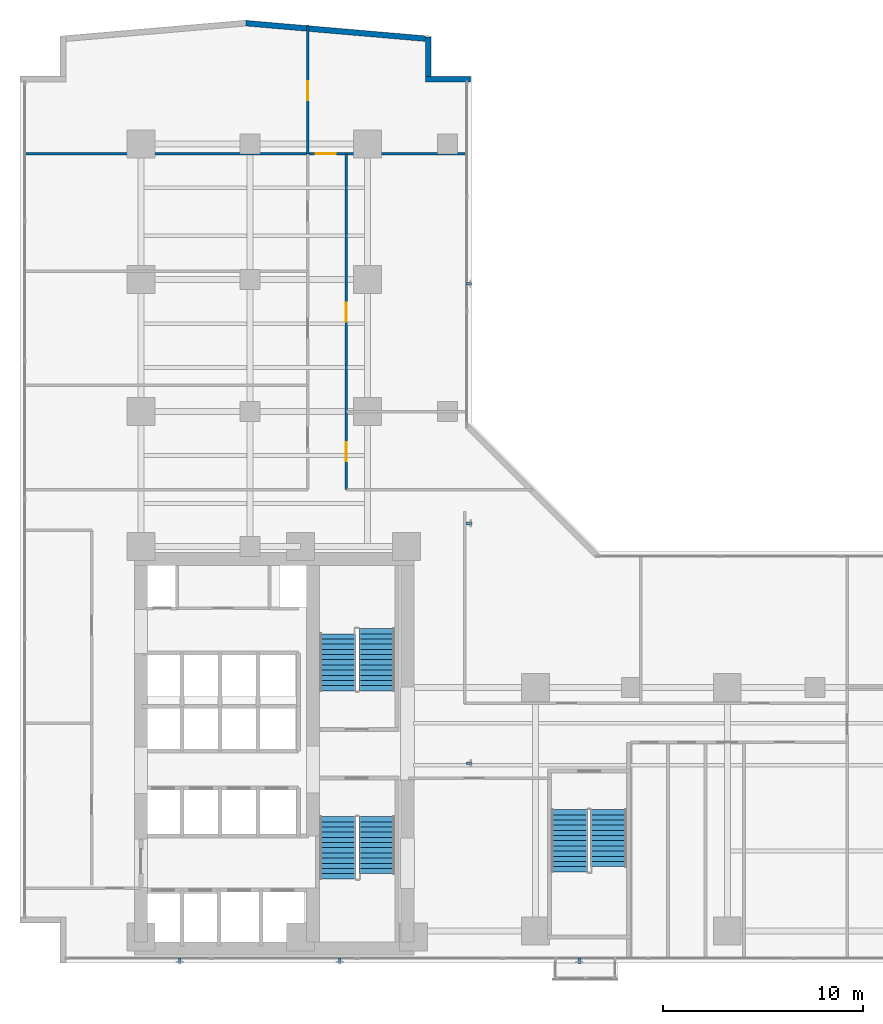
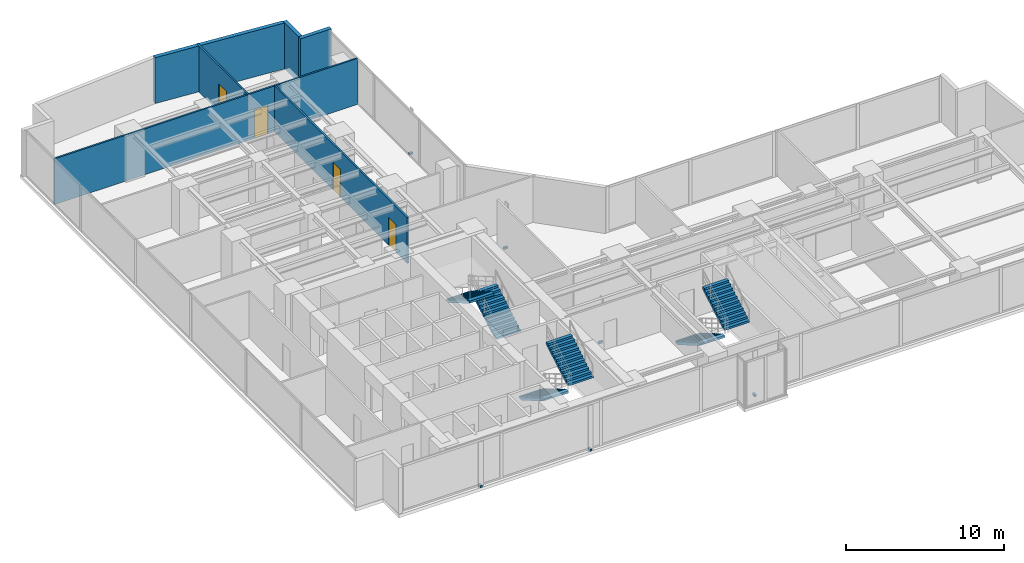
# One storey, part 21 of 24: 6 discrete accessories, 6 stair flights, 6 walls, 4 doors, 4 openings, 3 elements without a shape of their own.
"""IFC4 building model written with IfcOpenShell, lengths in metres."""

from ifc_helpers import new_model, si_unit, direction, frame, frame_2d, origin, origin_with_axes, origin_2d, place, context, subcontext, project, spatial, polyline, rectangle, outline, extrude, source, transform, mapped, material, layer, layer_set, type_object, element, fill, aggregate, save


model = new_model("IFC4")

# Units and contexts
model_context = context("Model", 3, precision=1e-05, world=origin(), true_north=direction((0.0, 1.0)))
body_context = subcontext(model_context, "Body", "Model", "MODEL_VIEW")
ifc_project = project(units=[si_unit("LENGTHUNIT", "METRE"), si_unit("AREAUNIT", "SQUARE_METRE"), si_unit("VOLUMEUNIT", "CUBIC_METRE"), si_unit("PLANEANGLEUNIT", "RADIAN"), si_unit("MASSUNIT", "GRAM", prefix="KILO")], contexts=[model_context])

# Site, building, storey
site_placement = place(None, origin())
site = spatial("IfcSite", under=ifc_project, at=site_placement, CompositionType="ELEMENT")
building_placement = place(site_placement, origin())
building = spatial("IfcBuilding", under=site, at=building_placement, Name="Kolvaren Waterfront Exchange", CompositionType="ELEMENT")
storey_placement = place(building_placement, frame((0.0, 0.0, 95.5)))
storey = spatial("IfcBuildingStorey", under=building, at=storey_placement, Name="L24", CompositionType="ELEMENT", Elevation=95.5)

# Walls
ifc_material_1 = material(Name="Precast concrete C40/50", Category="concrete")
ifc_layer_1 = layer(ifc_material_1, 0.280029296875, Name="Precast concrete C40/50")
ifc_layer_set_1 = layer_set([ifc_layer_1], Name="Precast concrete C40/50")
wall_type_1 = type_object("IfcWallType", Name="ARC-EXT-TERR-280", PredefinedType="SOLIDWALL", material=ifc_layer_set_1)
wall_1_placement = place(storey_placement, frame((21.699951171875, 47.840087890625, 0.0), z_axis=(0.0, 0.0, 1.0), x_axis=(1.0, 0.0, 0.0)))
element("IfcWall", 1, at=wall_1_placement, inside=storey, type_object=wall_type_1, Name="L24 notched corner spandrel pier NNE-A", PredefinedType="SOLIDWALL", context=body_context, shape_type="SweptSolid", body=[
    extrude(rectangle(XDim=2.239990234375, YDim=0.280029296875, at=frame_2d((1.1201171875, 0.0))), origin(), (0.0, 0.0, 1.0), 3.5400390625),
])
wall_2_placement = place(storey_placement, frame((21.840087890625, 47.97998046875, 0.0), z_axis=(0.0, 0.0, 1.0), x_axis=(0.0, 1.0, 0.0)))
element("IfcWall", 2, at=wall_2_placement, inside=storey, type_object=wall_type_1, Name="L24 notched corner spandrel pier NNE-B", PredefinedType="SOLIDWALL", context=body_context, shape_type="SweptSolid", body=[
    extrude(rectangle(XDim=1.9599609375, YDim=0.280029296875, at=frame_2d((0.97998046875, 0.0))), origin(), (0.0, 0.0, 1.0), 3.5400390625),
])
wall_3_placement = place(storey_placement, frame((21.6875, 49.8662109375, 0.0), z_axis=(0.0, 0.0, 1.0), x_axis=(-0.996319339243, 0.085719159179, 0.0)))
element("IfcWall", 3, at=wall_3_placement, inside=storey, type_object=wall_type_1, Name="L24 north prow faceted facade wall 1", PredefinedType="SOLIDWALL", context=body_context, shape_type="SweptSolid", body=[
    extrude(rectangle(XDim=9.014404296875, YDim=0.280029296875, at=frame_2d((4.50732421875, 0.0))), origin(), (0.0, 0.0, 1.0), 3.5400390625),
])

# Wall, opening, door
ifc_material_2 = material(Name="Acoustic gypsum steel stud", Category="steel")
ifc_layer_2 = layer(ifc_material_2, 0.125, Name="Acoustic gypsum steel stud")
ifc_layer_set_2 = layer_set([ifc_layer_2], Name="Acoustic gypsum steel stud")
wall_type_2 = type_object("IfcWallType", Name="ARC-PART-125", PredefinedType="PARTITIONING", material=ifc_layer_set_2)
wall_4_placement = place(storey_placement, frame((1.639892578125, 44.10009765625, 0.0), z_axis=(0.0, 0.0, 1.0), x_axis=(1.0, 0.0, 0.0)))
wall_4 = element("IfcWall", 4, at=wall_4_placement, inside=storey, type_object=wall_type_2, Name="L24 interior wall PW-L24-NTIP-S", PredefinedType="PARTITIONING", context=body_context, shape_type="SweptSolid", body=[
    extrude(rectangle(XDim=22.1201171875, YDim=0.125, at=frame_2d((11.06005859375, 0.0))), origin(), (0.0, 0.0, 1.0), 3.5400390625),
])
opening_1_placement = place(wall_4_placement, frame((14.56005859375, 0.0, 0.0)))
opening_1 = element("IfcOpeningElement", 5, at=opening_1_placement, cuts=wall_4, Name="Opening D03", PredefinedType="OPENING", context=body_context, shape_type="SweptSolid", body=[
    extrude(rectangle(XDim=1.0, YDim=2.199951171875, at=frame_2d((0.5, 1.10009765625))), frame((0.0, 0.072509765625, 0.0), z_axis=(0.0, -1.0, 0.0), x_axis=(1.0, 0.0, 0.0)), (0.0, 0.0, 1.0), 0.14501953125),
])
ifc_material_3 = material(Name="Oak veneer accessible timber", Category="wood")
door_type_1 = type_object("IfcDoorType", Name="ARC-DR-1000", OperationType="NOTDEFINED", PredefinedType="DOOR", material=ifc_material_3)
door_1_placement = place(opening_1_placement, origin())
door_1 = element("IfcDoor", 6, at=door_1_placement, inside=storey, type_object=door_type_1, Name="L24 door DR-L24-NTIPE-D (D03)", OperationType="SINGLE_SWING_LEFT", OverallHeight=2.199951171875, OverallWidth=1.0, PredefinedType="DOOR", context=body_context, shape_type="SweptSolid", body=[
    extrude(rectangle(XDim=1.0, YDim=2.199951171875, at=frame_2d((0.5, 1.10009765625))), frame((0.0, 0.02490234375, 0.0), z_axis=(0.0, -1.0, 0.0), x_axis=(1.0, 0.0, 0.0)), (0.0, 0.0, 1.0), 0.050048828125),
])
fill(opening_1, door_1)

wall_5_placement = place(storey_placement, frame((15.800048828125, 44.10009765625, 0.0), z_axis=(0.0, 0.0, 1.0), x_axis=(0.0, 1.0, 0.0)))
wall_5 = element("IfcWall", 7, at=wall_5_placement, inside=storey, type_object=wall_type_2, Name="L24 interior wall PW-L24-NTIP-DIV", PredefinedType="PARTITIONING", context=body_context, shape_type="SweptSolid", body=[
    extrude(rectangle(XDim=6.4599609375, YDim=0.125, at=frame_2d((3.22998046875, 0.0))), origin(), (0.0, 0.0, 1.0), 3.5400390625),
])
opening_2_placement = place(wall_5_placement, frame((2.677490234375, 0.0, 0.0)))
opening_2 = element("IfcOpeningElement", 8, at=opening_2_placement, cuts=wall_5, Name="Opening D02", PredefinedType="OPENING", context=body_context, shape_type="SweptSolid", body=[
    extrude(rectangle(XDim=0.949951171875, YDim=2.14990234375, at=frame_2d((0.47509765625, 1.074951171875))), frame((0.0, 0.072509765625, 0.0), z_axis=(0.0, -1.0, 0.0), x_axis=(1.0, 0.0, 0.0)), (0.0, 0.0, 1.0), 0.14501953125),
])
ifc_material_4 = material(Name="Oak veneer acoustic timber", Category="wood")
door_type_2 = type_object("IfcDoorType", Name="ARC-DR-950", OperationType="NOTDEFINED", PredefinedType="DOOR", material=ifc_material_4)
door_2_placement = place(opening_2_placement, origin())
door_2 = element("IfcDoor", 9, at=door_2_placement, inside=storey, type_object=door_type_2, Name="L24 door DR-L24-NTIPW-D (D02)", OperationType="SINGLE_SWING_RIGHT", OverallHeight=2.14990234375, OverallWidth=0.949951171875, PredefinedType="DOOR", context=body_context, shape_type="SweptSolid", body=[
    extrude(rectangle(XDim=0.949951171875, YDim=2.14990234375, at=frame_2d((0.47509765625, 1.074951171875))), frame((0.0, 0.02490234375, 0.0), z_axis=(0.0, -1.0, 0.0), x_axis=(1.0, 0.0, 0.0)), (0.0, 0.0, 1.0), 0.050048828125),
])
fill(opening_2, door_2)

# Wall, openings, doors
wall_6_placement = place(storey_placement, frame((17.739990234375, 27.300048828125, 0.0), z_axis=(0.0, 0.0, 1.0), x_axis=(0.0, 1.0, 0.0)))
wall_6 = element("IfcWall", 10, at=wall_6_placement, inside=storey, type_object=wall_type_2, Name="L24 interior wall PW-L24-NE-CORR", PredefinedType="PARTITIONING", context=body_context, shape_type="SweptSolid", body=[
    extrude(rectangle(XDim=16.800048828125, YDim=0.125, at=frame_2d((8.39990234375, 0.0))), origin(), (0.0, 0.0, 1.0), 3.5400390625),
])
opening_3_placement = place(wall_6_placement, frame((1.4033203125, 0.0, 0.0)))
opening_3 = element("IfcOpeningElement", 11, at=opening_3_placement, cuts=wall_6, Name="Opening D02", PredefinedType="OPENING", context=body_context, shape_type="SweptSolid", body=[
    extrude(rectangle(XDim=0.949951171875, YDim=2.14990234375, at=frame_2d((0.47509765625, 1.074951171875))), frame((0.0, 0.072509765625, 0.0), z_axis=(0.0, -1.0, 0.0), x_axis=(1.0, 0.0, 0.0)), (0.0, 0.0, 1.0), 0.14501953125),
])
opening_4_placement = place(wall_6_placement, frame((8.39306640625, 0.0, 0.0)))
opening_4 = element("IfcOpeningElement", 12, at=opening_4_placement, cuts=wall_6, Name="Opening D02", PredefinedType="OPENING", context=body_context, shape_type="SweptSolid", body=[
    extrude(rectangle(XDim=0.949951171875, YDim=2.14990234375, at=frame_2d((0.47509765625, 1.074951171875))), frame((0.0, 0.072509765625, 0.0), z_axis=(0.0, -1.0, 0.0), x_axis=(1.0, 0.0, 0.0)), (0.0, 0.0, 1.0), 0.14501953125),
])
door_3_placement = place(opening_3_placement, origin())
door_3 = element("IfcDoor", 13, at=door_3_placement, inside=storey, type_object=door_type_2, Name="L24 door DR-L24-NE-D-1 (D02)", OperationType="SINGLE_SWING_LEFT", OverallHeight=2.14990234375, OverallWidth=0.949951171875, PredefinedType="DOOR", context=body_context, shape_type="SweptSolid", body=[
    extrude(rectangle(XDim=0.949951171875, YDim=2.14990234375, at=frame_2d((0.47509765625, 1.074951171875))), frame((0.0, 0.02490234375, 0.0), z_axis=(0.0, -1.0, 0.0), x_axis=(1.0, 0.0, 0.0)), (0.0, 0.0, 1.0), 0.050048828125),
])
fill(opening_3, door_3)
door_4_placement = place(opening_4_placement, origin())
door_4 = element("IfcDoor", 14, at=door_4_placement, inside=storey, type_object=door_type_2, Name="L24 door DR-L24-NE-D-2 (D02)", OperationType="SINGLE_SWING_RIGHT", OverallHeight=2.14990234375, OverallWidth=0.949951171875, PredefinedType="DOOR", context=body_context, shape_type="SweptSolid", body=[
    extrude(rectangle(XDim=0.949951171875, YDim=2.14990234375, at=frame_2d((0.47509765625, 1.074951171875))), frame((0.0, 0.02490234375, 0.0), z_axis=(0.0, -1.0, 0.0), x_axis=(1.0, 0.0, 0.0)), (0.0, 0.0, 1.0), 0.050048828125),
])
fill(opening_4, door_4)

# Stair, stair flights
ifc_material_5 = material(Name="Concrete C40/50", Category="concrete")
stair_type = type_object("IfcStairType", Name="ARC-STAIR-3800", PredefinedType="HALF_TURN_STAIR", material=ifc_material_5)
stair_1_placement = place(storey_placement, origin())
stair_1 = element("IfcStair", 15, at=stair_1_placement, inside=storey, type_object=stair_type, Name="L24 Smoke-proof exit stair ST1", PredefinedType="HALF_TURN_STAIR")
stair_flight_type = type_object("IfcStairFlightType", Name="ARC-FLIGHT-3800", PredefinedType="STRAIGHT", material=ifc_material_5)
stair_flight_1_placement = place(storey_placement, frame((17.300048828125, 10.929931640625, 0.0), z_axis=(0.0, 0.0, 1.0), x_axis=(0.0, -1.0, 0.0)))
stair_flight_1 = element("IfcStairFlight", 16, at=stair_flight_1_placement, type_object=stair_flight_type, Name="ST1 flight 1", NumberOfRisers=13, NumberOfTreads=12, PredefinedType="STRAIGHT", RiserHeight=0.152, TreadLength=0.26, context=body_context, shape_type="SweptSolid", body=[
    extrude(outline(polyline([(0.0, 0.0), (0.0, 0.152099609375), (0.260009765625, 0.152099609375), (0.260009765625, 0.303955078125), (0.52001953125, 0.303955078125), (0.52001953125, 0.4560546875), (0.780029296875, 0.4560546875), (0.780029296875, 0.60791015625), (1.0400390625, 0.60791015625), (1.0400390625, 0.760009765625), (1.300048828125, 0.760009765625), (1.300048828125, 0.912109375), (1.56005859375, 0.912109375), (1.56005859375, 1.06396484375), (1.820068359375, 1.06396484375), (1.820068359375, 1.216064453125), (2.080078125, 1.216064453125), (2.080078125, 1.367919921875), (2.340087890625, 1.367919921875), (2.340087890625, 1.52001953125), (2.60009765625, 1.52001953125), (2.60009765625, 1.672119140625), (2.860107421875, 1.672119140625), (2.860107421875, 1.823974609375), (3.1201171875, 1.823974609375), (3.1201171875, 1.97607421875), (3.1201171875, 1.650390625), (0.297119140625, 0.0), (0.0, 0.0)])), frame((0.0, 0.89990234375, 0.0), z_axis=(0.0, -1.0, 0.0), x_axis=(1.0, 0.0, 0.0)), (0.0, 0.0, 1.0), 1.800048828125),
])
stair_flight_2_placement = place(storey_placement, frame((19.260009765625, 8.070068359375, 1.97607421875), z_axis=(0.0, 0.0, 1.0), x_axis=(0.0, 1.0, 0.0)))
stair_flight_2 = element("IfcStairFlight", 17, at=stair_flight_2_placement, type_object=stair_flight_type, Name="ST1 flight 2", NumberOfRisers=12, NumberOfTreads=11, PredefinedType="STRAIGHT", RiserHeight=0.152, TreadLength=0.26, context=body_context, shape_type="SweptSolid", body=[
    extrude(outline(polyline([(0.0, 0.0), (0.0, 0.152099609375), (0.260009765625, 0.152099609375), (0.260009765625, 0.303955078125), (0.52001953125, 0.303955078125), (0.52001953125, 0.4560546875), (0.780029296875, 0.4560546875), (0.780029296875, 0.60791015625), (1.0400390625, 0.60791015625), (1.0400390625, 0.760009765625), (1.300048828125, 0.760009765625), (1.300048828125, 0.912109375), (1.56005859375, 0.912109375), (1.56005859375, 1.06396484375), (1.820068359375, 1.06396484375), (1.820068359375, 1.216064453125), (2.080078125, 1.216064453125), (2.080078125, 1.367919921875), (2.340087890625, 1.367919921875), (2.340087890625, 1.52001953125), (2.60009765625, 1.52001953125), (2.60009765625, 1.672119140625), (2.860107421875, 1.672119140625), (2.860107421875, 1.823974609375), (2.860107421875, 1.498291015625), (0.297119140625, 0.0), (0.0, 0.0)])), frame((0.0, 0.89990234375, 0.0), z_axis=(0.0, -1.0, 0.0), x_axis=(1.0, 0.0, 0.0)), (0.0, 0.0, 1.0), 1.800048828125),
])
aggregate(stair_1, [stair_flight_1, stair_flight_2])

stair_2_placement = place(storey_placement, origin())
stair_2 = element("IfcStair", 18, at=stair_2_placement, inside=storey, type_object=stair_type, Name="L24 Smoke-proof exit stair ST2", PredefinedType="HALF_TURN_STAIR")
stair_flight_3_placement = place(storey_placement, frame((19.260009765625, 17.219970703125, 0.0), z_axis=(0.0, 0.0, 1.0), x_axis=(0.0, 1.0, 0.0)))
stair_flight_3 = element("IfcStairFlight", 19, at=stair_flight_3_placement, type_object=stair_flight_type, Name="ST2 flight 1", NumberOfRisers=13, NumberOfTreads=12, PredefinedType="STRAIGHT", RiserHeight=0.152, TreadLength=0.26, context=body_context, shape_type="SweptSolid", body=[
    extrude(outline(polyline([(0.0, 0.0), (0.0, 0.152099609375), (0.260009765625, 0.152099609375), (0.260009765625, 0.303955078125), (0.52001953125, 0.303955078125), (0.52001953125, 0.4560546875), (0.780029296875, 0.4560546875), (0.780029296875, 0.60791015625), (1.0400390625, 0.60791015625), (1.0400390625, 0.760009765625), (1.300048828125, 0.760009765625), (1.300048828125, 0.912109375), (1.56005859375, 0.912109375), (1.56005859375, 1.06396484375), (1.820068359375, 1.06396484375), (1.820068359375, 1.216064453125), (2.080078125, 1.216064453125), (2.080078125, 1.367919921875), (2.340087890625, 1.367919921875), (2.340087890625, 1.52001953125), (2.60009765625, 1.52001953125), (2.60009765625, 1.672119140625), (2.860107421875, 1.672119140625), (2.860107421875, 1.823974609375), (3.1201171875, 1.823974609375), (3.1201171875, 1.97607421875), (3.1201171875, 1.650390625), (0.297119140625, 0.0), (0.0, 0.0)])), frame((0.0, 0.89990234375, 0.0), z_axis=(0.0, -1.0, 0.0), x_axis=(1.0, 0.0, 0.0)), (0.0, 0.0, 1.0), 1.800048828125),
])
stair_flight_4_placement = place(storey_placement, frame((17.300048828125, 20.080078125, 1.97607421875), z_axis=(0.0, 0.0, 1.0), x_axis=(0.0, -1.0, 0.0)))
stair_flight_4 = element("IfcStairFlight", 20, at=stair_flight_4_placement, type_object=stair_flight_type, Name="ST2 flight 2", NumberOfRisers=12, NumberOfTreads=11, PredefinedType="STRAIGHT", RiserHeight=0.152, TreadLength=0.26, context=body_context, shape_type="SweptSolid", body=[
    extrude(outline(polyline([(0.0, 0.0), (0.0, 0.152099609375), (0.260009765625, 0.152099609375), (0.260009765625, 0.303955078125), (0.52001953125, 0.303955078125), (0.52001953125, 0.4560546875), (0.780029296875, 0.4560546875), (0.780029296875, 0.60791015625), (1.0400390625, 0.60791015625), (1.0400390625, 0.760009765625), (1.300048828125, 0.760009765625), (1.300048828125, 0.912109375), (1.56005859375, 0.912109375), (1.56005859375, 1.06396484375), (1.820068359375, 1.06396484375), (1.820068359375, 1.216064453125), (2.080078125, 1.216064453125), (2.080078125, 1.367919921875), (2.340087890625, 1.367919921875), (2.340087890625, 1.52001953125), (2.60009765625, 1.52001953125), (2.60009765625, 1.672119140625), (2.860107421875, 1.672119140625), (2.860107421875, 1.823974609375), (2.860107421875, 1.498291015625), (0.297119140625, 0.0), (0.0, 0.0)])), frame((0.0, 0.89990234375, 0.0), z_axis=(0.0, -1.0, 0.0), x_axis=(1.0, 0.0, 0.0)), (0.0, 0.0, 1.0), 1.800048828125),
])
aggregate(stair_2, [stair_flight_3, stair_flight_4])

stair_3_placement = place(storey_placement, origin())
stair_3 = element("IfcStair", 21, at=stair_3_placement, inside=storey, type_object=stair_type, Name="L24 Exit stair ST3", PredefinedType="HALF_TURN_STAIR")
stair_flight_5_placement = place(storey_placement, frame((28.89990234375, 11.280029296875, 0.0), z_axis=(0.0, 0.0, 1.0), x_axis=(0.0, -1.0, 0.0)))
stair_flight_5 = element("IfcStairFlight", 22, at=stair_flight_5_placement, type_object=stair_flight_type, Name="ST3 flight 1", NumberOfRisers=13, NumberOfTreads=12, PredefinedType="STRAIGHT", RiserHeight=0.152, TreadLength=0.26, context=body_context, shape_type="SweptSolid", body=[
    extrude(outline(polyline([(0.0, 0.0), (0.0, 0.152099609375), (0.260009765625, 0.152099609375), (0.260009765625, 0.303955078125), (0.52001953125, 0.303955078125), (0.52001953125, 0.4560546875), (0.780029296875, 0.4560546875), (0.780029296875, 0.60791015625), (1.0400390625, 0.60791015625), (1.0400390625, 0.760009765625), (1.300048828125, 0.760009765625), (1.300048828125, 0.912109375), (1.56005859375, 0.912109375), (1.56005859375, 1.06396484375), (1.820068359375, 1.06396484375), (1.820068359375, 1.216064453125), (2.080078125, 1.216064453125), (2.080078125, 1.367919921875), (2.340087890625, 1.367919921875), (2.340087890625, 1.52001953125), (2.60009765625, 1.52001953125), (2.60009765625, 1.672119140625), (2.860107421875, 1.672119140625), (2.860107421875, 1.823974609375), (3.1201171875, 1.823974609375), (3.1201171875, 1.97607421875), (3.1201171875, 1.650390625), (0.297119140625, 0.0), (0.0, 0.0)])), frame((0.0, 0.89990234375, 0.0), z_axis=(0.0, -1.0, 0.0), x_axis=(1.0, 0.0, 0.0)), (0.0, 0.0, 1.0), 1.800048828125),
])
stair_flight_6_placement = place(storey_placement, frame((30.860107421875, 8.419921875, 1.97607421875), z_axis=(0.0, 0.0, 1.0), x_axis=(0.0, 1.0, 0.0)))
stair_flight_6 = element("IfcStairFlight", 23, at=stair_flight_6_placement, type_object=stair_flight_type, Name="ST3 flight 2", NumberOfRisers=12, NumberOfTreads=11, PredefinedType="STRAIGHT", RiserHeight=0.152, TreadLength=0.26, context=body_context, shape_type="SweptSolid", body=[
    extrude(outline(polyline([(0.0, 0.0), (0.0, 0.152099609375), (0.260009765625, 0.152099609375), (0.260009765625, 0.303955078125), (0.52001953125, 0.303955078125), (0.52001953125, 0.4560546875), (0.780029296875, 0.4560546875), (0.780029296875, 0.60791015625), (1.0400390625, 0.60791015625), (1.0400390625, 0.760009765625), (1.300048828125, 0.760009765625), (1.300048828125, 0.912109375), (1.56005859375, 0.912109375), (1.56005859375, 1.06396484375), (1.820068359375, 1.06396484375), (1.820068359375, 1.216064453125), (2.080078125, 1.216064453125), (2.080078125, 1.367919921875), (2.340087890625, 1.367919921875), (2.340087890625, 1.52001953125), (2.60009765625, 1.52001953125), (2.60009765625, 1.672119140625), (2.860107421875, 1.672119140625), (2.860107421875, 1.823974609375), (2.860107421875, 1.498291015625), (0.297119140625, 0.0), (0.0, 0.0)])), frame((0.0, 0.89990234375, 0.0), z_axis=(0.0, -1.0, 0.0), x_axis=(1.0, 0.0, 0.0)), (0.0, 0.0, 1.0), 1.800048828125),
])
aggregate(stair_3, [stair_flight_5, stair_flight_6])

# Discrete accessories
ifc_material_6 = material(Name="Stainless steel 316", Category="steel")
discrete_accessory_type = type_object("IfcDiscreteAccessoryType", Name="ARC-BRK-FIN", PredefinedType="BRACKET", material=ifc_material_6)
shared_shape = source(origin_with_axes(), body_context, "Body", "SweptSolid", [
    extrude(rectangle(XDim=0.280029296875, YDim=0.139892578125, at=origin_2d()), origin(), (0.0, 0.0, 1.0), 0.159912109375),
])
for number, where, z_axis, x_axis, name in (
    (24, (9.39990234375, 3.719970703125, 0.0), (0.0, 0.0, 1.0), (0.0, -1.0, 0.0), "L24 bronze fin anchor bracket FIN-L24-S1"),
    (25, (17.39990234375, 3.719970703125, 0.0), (0.0, 0.0, 1.0), (0.0, -1.0, 0.0), "L24 bronze fin anchor bracket FIN-L24-S2"),
    (26, (29.39990234375, 3.719970703125, 0.0), (0.0, 0.0, 1.0), (0.0, -1.0, 0.0), "L24 bronze fin anchor bracket FIN-L24-S3"),
    (27, (23.8798828125, 13.60009765625, 0.0), (0.0, 0.0, 1.0), (1.0, 0.0, 0.0), "L24 bronze fin anchor bracket FIN-L24-E1"),
    (28, (23.8798828125, 25.60009765625, 0.0), (0.0, 0.0, 1.0), (1.0, 0.0, 0.0), "L24 bronze fin anchor bracket FIN-L24-E2"),
    (29, (23.8798828125, 37.60009765625, 0.0), (0.0, 0.0, 1.0), (1.0, 0.0, 0.0), "L24 bronze fin anchor bracket FIN-L24-E3"),
):
    element("IfcDiscreteAccessory", number, at=place(storey_placement, frame(where, z_axis=z_axis, x_axis=x_axis)), inside=storey, type_object=discrete_accessory_type, Name=name, PredefinedType="BRACKET", context=body_context, shape_type="MappedRepresentation", body=[
        mapped(shared_shape, transform((0.0, 0.0, 0.0), x_axis=(1.0, 0.0, 0.0), y_axis=(0.0, 1.0, 0.0), z_axis=(0.0, 0.0, 1.0), scale=1.0)),
    ])

save(model, "model.ifc")
